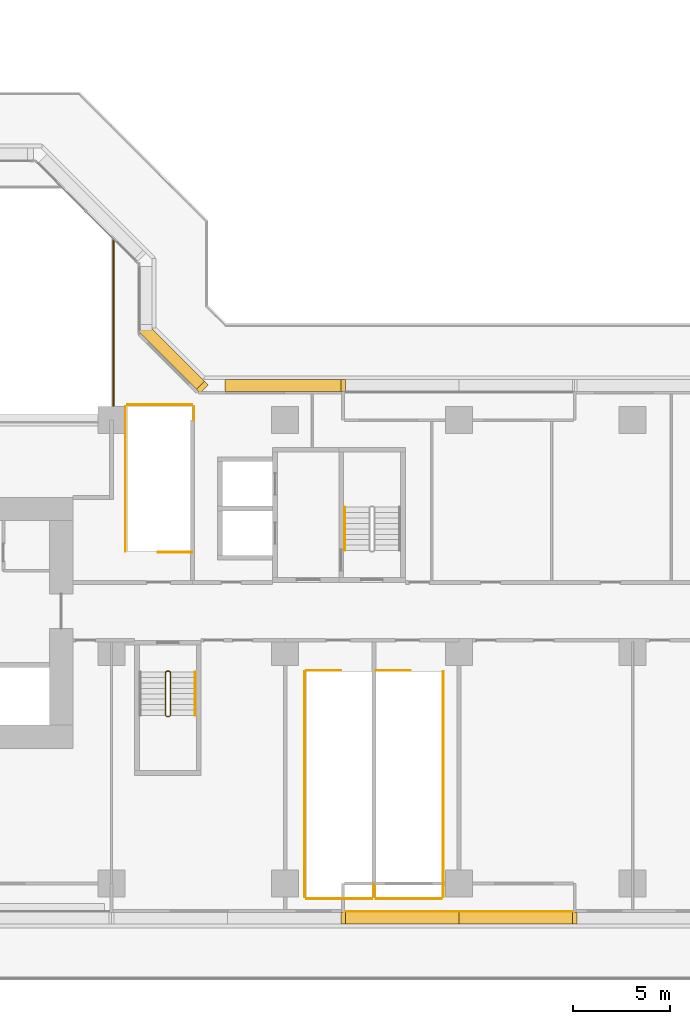
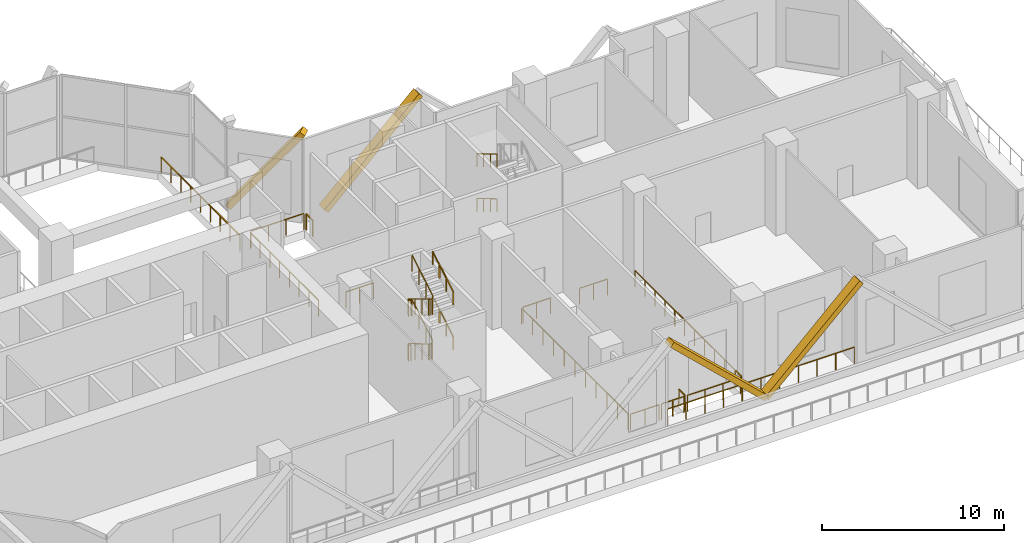
# One storey, part 12 of 16: 21 railings, 4 coverings.
"""IFC4 building model written with IfcOpenShell, lengths in metres."""

from ifc_helpers import new_model, si_unit, direction, frame, origin, origin_2d, place, context, subcontext, project, spatial, rectangle, extrude, material, material_profile, profile_set, type_object, element, save


model = new_model("IFC4")

# Units and contexts
model_context = context("Model", 3, precision=1e-05, world=origin(), true_north=direction((0.0, 1.0)))
body_context = subcontext(model_context, "Body", "Model", "MODEL_VIEW")
ifc_project = project(units=[si_unit("LENGTHUNIT", "METRE"), si_unit("AREAUNIT", "SQUARE_METRE"), si_unit("VOLUMEUNIT", "CUBIC_METRE"), si_unit("PLANEANGLEUNIT", "RADIAN"), si_unit("MASSUNIT", "GRAM", prefix="KILO")], contexts=[model_context])

# Site, building, storey
site_placement = place(None, origin())
site = spatial("IfcSite", under=ifc_project, at=site_placement, CompositionType="ELEMENT")
building_placement = place(site_placement, origin())
building = spatial("IfcBuilding", under=site, at=building_placement, Name="Chenar Terraces", CompositionType="ELEMENT")
storey_placement = place(building_placement, frame((0.0, 0.0, 35.39990234375)))
storey = spatial("IfcBuildingStorey", under=building, at=storey_placement, Name="L06", CompositionType="ELEMENT", Elevation=35.39990234375)

# Railings
ifc_material_1 = material(Name="Powder-coated steel", Category="steel")
railing_type_1 = type_object("IfcRailingType", Name="Guard 1100 steel rail with glass infill", PredefinedType="GUARDRAIL", material=ifc_material_1)
railing_1_placement = place(storey_placement, frame((36.10009765625, 24.75, 0.0)))
element("IfcRailing", 1, at=railing_1_placement, inside=storey, type_object=railing_type_1, Name="Guard L06-3", PredefinedType="GUARDRAIL", context=body_context, shape_type="SweptSolid", body=[
    extrude(rectangle(XDim=0.06005859375, YDim=0.06005859375, at=origin_2d()), frame((0.0, 0.0, 1.070068359375), z_axis=(0.0, 1.0, 0.0), x_axis=(-1.0, 0.0, 0.0)), (0.0, 0.0, 1.0), 8.64990234375),
    extrude(rectangle(XDim=0.050048828125, YDim=0.050048828125, at=origin_2d()), origin(), (0.0, 0.0, 1.0), 1.0400390625),
    extrude(rectangle(XDim=0.050048828125, YDim=0.050048828125, at=origin_2d()), frame((0.0, 1.081298828125, 0.0)), (0.0, 0.0, 1.0), 1.0400390625),
    extrude(rectangle(XDim=0.050048828125, YDim=0.050048828125, at=origin_2d()), frame((0.0, 2.16259765625, 0.0)), (0.0, 0.0, 1.0), 1.0400390625),
    extrude(rectangle(XDim=0.050048828125, YDim=0.050048828125, at=origin_2d()), frame((0.0, 3.24365234375, 0.0)), (0.0, 0.0, 1.0), 1.0400390625),
    extrude(rectangle(XDim=0.050048828125, YDim=0.050048828125, at=origin_2d()), frame((0.0, 4.324951171875, 0.0)), (0.0, 0.0, 1.0), 1.0400390625),
    extrude(rectangle(XDim=0.050048828125, YDim=0.050048828125, at=origin_2d()), frame((0.0, 5.40625, 0.0)), (0.0, 0.0, 1.0), 1.0400390625),
    extrude(rectangle(XDim=0.050048828125, YDim=0.050048828125, at=origin_2d()), frame((0.0, 6.4873046875, 0.0)), (0.0, 0.0, 1.0), 1.0400390625),
    extrude(rectangle(XDim=0.050048828125, YDim=0.050048828125, at=origin_2d()), frame((0.0, 7.568603515625, 0.0)), (0.0, 0.0, 1.0), 1.0400390625),
    extrude(rectangle(XDim=0.050048828125, YDim=0.050048828125, at=origin_2d()), frame((0.0, 8.64990234375, 0.0)), (0.0, 0.0, 1.0), 1.0400390625),
])
ifc_material_2 = material(Name="Stainless steel and glass", Category="steel")
railing_type_2 = type_object("IfcRailingType", Name="Loggia guard 1150", PredefinedType="GUARDRAIL", material=ifc_material_2)
railing_2_placement = place(storey_placement, frame((48.074951171875, -1.449951171875, 0.0)))
element("IfcRailing", 2, at=railing_2_placement, inside=storey, type_object=railing_type_2, Name="Loggia guard", PredefinedType="GUARDRAIL", context=body_context, shape_type="SweptSolid", body=[
    extrude(rectangle(XDim=0.048095703125, YDim=0.048095703125, at=origin_2d()), frame((0.0, 0.0, 1.1259765625), z_axis=(1.0, 0.0, 0.0), x_axis=(0.0, 1.0, 0.0)), (0.0, 0.0, 1.0), 11.85009765625),
    extrude(rectangle(XDim=0.0419921875, YDim=0.0419921875, at=origin_2d()), origin(), (0.0, 0.0, 1.0), 1.101806640625),
    extrude(rectangle(XDim=0.0419921875, YDim=0.0419921875, at=origin_2d()), frame((1.18505859375, 0.0, 0.0)), (0.0, 0.0, 1.0), 1.101806640625),
    extrude(rectangle(XDim=0.0419921875, YDim=0.0419921875, at=origin_2d()), frame((2.3701171875, 0.0, 0.0)), (0.0, 0.0, 1.0), 1.101806640625),
    extrude(rectangle(XDim=0.0419921875, YDim=0.0419921875, at=origin_2d()), frame((3.554931640625, 0.0, 0.0)), (0.0, 0.0, 1.0), 1.101806640625),
    extrude(rectangle(XDim=0.0419921875, YDim=0.0419921875, at=origin_2d()), frame((4.739990234375, 0.0, 0.0)), (0.0, 0.0, 1.0), 1.101806640625),
    extrude(rectangle(XDim=0.0419921875, YDim=0.0419921875, at=origin_2d()), frame((5.925048828125, 0.0, 0.0)), (0.0, 0.0, 1.0), 1.101806640625),
    extrude(rectangle(XDim=0.0419921875, YDim=0.0419921875, at=origin_2d()), frame((7.110107421875, 0.0, 0.0)), (0.0, 0.0, 1.0), 1.101806640625),
    extrude(rectangle(XDim=0.0419921875, YDim=0.0419921875, at=origin_2d()), frame((8.295166015625, 0.0, 0.0)), (0.0, 0.0, 1.0), 1.101806640625),
    extrude(rectangle(XDim=0.0419921875, YDim=0.0419921875, at=origin_2d()), frame((9.47998046875, 0.0, 0.0)), (0.0, 0.0, 1.0), 1.101806640625),
    extrude(rectangle(XDim=0.0419921875, YDim=0.0419921875, at=origin_2d()), frame((10.6650390625, 0.0, 0.0)), (0.0, 0.0, 1.0), 1.101806640625),
    extrude(rectangle(XDim=0.0419921875, YDim=0.0419921875, at=origin_2d()), frame((11.85009765625, 0.0, 0.0)), (0.0, 0.0, 1.0), 1.101806640625),
])
ifc_material_3 = material(Name="Powder-coated steel", Category="steel")
railing_type_3 = type_object("IfcRailingType", Name="Stair guard 1100", PredefinedType="GUARDRAIL", material=ifc_material_3)
railing_3_placement = place(storey_placement, frame((39.050048828125, 10.949951171875, 6.0)))
element("IfcRailing", 3, at=railing_3_placement, inside=storey, type_object=railing_type_3, Name="L06 ST2 stair guard 1", PredefinedType="GUARDRAIL", context=body_context, shape_type="SweptSolid", body=[
    extrude(rectangle(XDim=0.048095703125, YDim=0.048095703125, at=origin_2d()), frame((0.0, 0.0, 1.076171875), z_axis=(0.0, -0.859305625298, -0.511462454469), x_axis=(1.0, 0.0, 0.0)), (0.0, 0.0, 1.0), 2.606689453125),
    extrude(rectangle(XDim=0.048095703125, YDim=0.048095703125, at=origin_2d()), frame((0.0, -2.239990234375, -0.25732421875), z_axis=(-0.27628659633, -0.27628659633, -0.920506074601), x_axis=(0.707106781187, -0.707106781187, 0.0)), (0.0, 0.0, 1.0), 0.18115234375),
    extrude(rectangle(XDim=0.048095703125, YDim=0.048095703125, at=origin_2d()), frame((-0.050048828125, -2.2900390625, -0.423828125), z_axis=(-1.0, 0.0, 0.0), x_axis=(0.0, -1.0, 0.0)), (0.0, 0.0, 1.0), 0.14990234375),
    extrude(rectangle(XDim=0.048095703125, YDim=0.048095703125, at=origin_2d()), frame((-0.199951171875, -2.2900390625, -0.423828125), z_axis=(-0.707106781187, 0.707106781187, 0.0), x_axis=(-0.707106781187, -0.707106781187, 0.0)), (0.0, 0.0, 1.0), 0.07080078125),
    extrude(rectangle(XDim=0.048095703125, YDim=0.048095703125, at=origin_2d()), frame((-0.25, -2.239990234375, -0.423828125), z_axis=(0.0, 0.859305625298, -0.511462454469), x_axis=(-1.0, 0.0, 0.0)), (0.0, 0.0, 1.0), 2.606689453125),
    extrude(rectangle(XDim=0.048095703125, YDim=0.048095703125, at=origin_2d()), frame((-0.25, 0.0, -1.75732421875), z_axis=(0.754182335027, 0.188775798145, -0.628945707965), x_axis=(-0.242814311512, 0.970072785993, 0.0)), (0.0, 0.0, 1.0), 0.26513671875),
    extrude(rectangle(XDim=0.048095703125, YDim=0.048095703125, at=origin_2d()), frame((-0.050048828125, 0.050048828125, -1.923828125), z_axis=(-1.0, 0.0, 0.0), x_axis=(0.0, -1.0, 0.0)), (0.0, 0.0, 1.0), 0.14990234375),
    extrude(rectangle(XDim=0.048095703125, YDim=0.048095703125, at=origin_2d()), frame((-0.199951171875, 0.050048828125, -1.923828125), z_axis=(0.970072785993, -0.242814311512, 0.0), x_axis=(0.242814311512, 0.970072785993, 0.0)), (0.0, 0.0, 1.0), 0.2060546875),
    extrude(rectangle(XDim=0.048095703125, YDim=0.048095703125, at=origin_2d()), frame((0.0, 0.0, -1.923828125), z_axis=(0.0, -0.859305625298, -0.511462454469), x_axis=(1.0, 0.0, 0.0)), (0.0, 0.0, 1.0), 2.606689453125),
    extrude(rectangle(XDim=0.048095703125, YDim=0.048095703125, at=origin_2d()), frame((0.0, -2.239990234375, -3.25732421875), z_axis=(-0.27628659633, -0.27628659633, -0.920506074601), x_axis=(0.707106781187, -0.707106781187, 0.0)), (0.0, 0.0, 1.0), 0.18115234375),
    extrude(rectangle(XDim=0.048095703125, YDim=0.048095703125, at=origin_2d()), frame((-0.050048828125, -2.2900390625, -3.423828125), z_axis=(-1.0, 0.0, 0.0), x_axis=(0.0, -1.0, 0.0)), (0.0, 0.0, 1.0), 0.14990234375),
    extrude(rectangle(XDim=0.048095703125, YDim=0.048095703125, at=origin_2d()), frame((-0.199951171875, -2.2900390625, -3.423828125), z_axis=(-0.707106781187, 0.707106781187, 0.0), x_axis=(-0.707106781187, -0.707106781187, 0.0)), (0.0, 0.0, 1.0), 0.07080078125),
    extrude(rectangle(XDim=0.048095703125, YDim=0.048095703125, at=origin_2d()), frame((-0.25, -2.239990234375, -3.423828125), z_axis=(0.0, 0.859305625298, -0.511462454469), x_axis=(-1.0, 0.0, 0.0)), (0.0, 0.0, 1.0), 2.606689453125),
    extrude(rectangle(XDim=0.048095703125, YDim=0.048095703125, at=origin_2d()), frame((-0.25, 0.0, -4.75732421875), z_axis=(0.27628659633, 0.27628659633, -0.920506074601), x_axis=(-0.707106781187, 0.707106781187, 0.0)), (0.0, 0.0, 1.0), 0.18115234375),
    extrude(rectangle(XDim=0.048095703125, YDim=0.048095703125, at=origin_2d()), frame((-0.199951171875, 0.050048828125, -4.923828125), z_axis=(1.0, 0.0, 0.0), x_axis=(0.0, 1.0, 0.0)), (0.0, 0.0, 1.0), 0.14990234375),
    extrude(rectangle(XDim=0.0419921875, YDim=0.0419921875, at=origin_2d()), origin(), (0.0, 0.0, 1.0), 1.052001953125),
    extrude(rectangle(XDim=0.0419921875, YDim=0.0419921875, at=origin_2d()), frame((0.0, -0.74658203125, -0.4443359375)), (0.0, 0.0, 1.0), 1.052001953125),
    extrude(rectangle(XDim=0.0419921875, YDim=0.0419921875, at=origin_2d()), frame((0.0, -1.493408203125, -0.888916015625)), (0.0, 0.0, 1.0), 1.052001953125),
    extrude(rectangle(XDim=0.0419921875, YDim=0.0419921875, at=origin_2d()), frame((0.0, -2.239990234375, -1.333251953125)), (0.0, 0.0, 1.0), 1.052001953125),
    extrude(rectangle(XDim=0.0419921875, YDim=0.0419921875, at=origin_2d()), frame((-0.050048828125, -2.2900390625, -1.5)), (0.0, 0.0, 1.0), 1.052001953125),
    extrude(rectangle(XDim=0.0419921875, YDim=0.0419921875, at=origin_2d()), frame((-0.199951171875, -2.2900390625, -1.5)), (0.0, 0.0, 1.0), 1.052001953125),
    extrude(rectangle(XDim=0.0419921875, YDim=0.0419921875, at=origin_2d()), frame((-0.25, -2.239990234375, -1.5)), (0.0, 0.0, 1.0), 1.052001953125),
    extrude(rectangle(XDim=0.0419921875, YDim=0.0419921875, at=origin_2d()), frame((-0.25, -1.493408203125, -1.9443359375)), (0.0, 0.0, 1.0), 1.052001953125),
    extrude(rectangle(XDim=0.0419921875, YDim=0.0419921875, at=origin_2d()), frame((-0.25, -0.74658203125, -2.388916015625)), (0.0, 0.0, 1.0), 1.052001953125),
    extrude(rectangle(XDim=0.0419921875, YDim=0.0419921875, at=origin_2d()), frame((-0.25, 0.0, -2.833251953125)), (0.0, 0.0, 1.0), 1.052001953125),
    extrude(rectangle(XDim=0.0419921875, YDim=0.0419921875, at=origin_2d()), frame((-0.050048828125, 0.050048828125, -3.0)), (0.0, 0.0, 1.0), 1.052001953125),
    extrude(rectangle(XDim=0.0419921875, YDim=0.0419921875, at=origin_2d()), frame((-0.199951171875, 0.050048828125, -3.0)), (0.0, 0.0, 1.0), 1.052001953125),
    extrude(rectangle(XDim=0.0419921875, YDim=0.0419921875, at=origin_2d()), frame((0.0, 0.0, -3.0)), (0.0, 0.0, 1.0), 1.052001953125),
    extrude(rectangle(XDim=0.0419921875, YDim=0.0419921875, at=origin_2d()), frame((0.0, -0.74658203125, -3.4443359375)), (0.0, 0.0, 1.0), 1.052001953125),
    extrude(rectangle(XDim=0.0419921875, YDim=0.0419921875, at=origin_2d()), frame((0.0, -1.493408203125, -3.888916015625)), (0.0, 0.0, 1.0), 1.052001953125),
    extrude(rectangle(XDim=0.0419921875, YDim=0.0419921875, at=origin_2d()), frame((0.0, -2.239990234375, -4.333251953125)), (0.0, 0.0, 1.0), 1.052001953125),
    extrude(rectangle(XDim=0.0419921875, YDim=0.0419921875, at=origin_2d()), frame((-0.050048828125, -2.2900390625, -4.5)), (0.0, 0.0, 1.0), 1.052001953125),
    extrude(rectangle(XDim=0.0419921875, YDim=0.0419921875, at=origin_2d()), frame((-0.199951171875, -2.2900390625, -4.5)), (0.0, 0.0, 1.0), 1.052001953125),
    extrude(rectangle(XDim=0.0419921875, YDim=0.0419921875, at=origin_2d()), frame((-0.25, -2.239990234375, -4.5)), (0.0, 0.0, 1.0), 1.052001953125),
    extrude(rectangle(XDim=0.0419921875, YDim=0.0419921875, at=origin_2d()), frame((-0.25, -1.493408203125, -4.9443359375)), (0.0, 0.0, 1.0), 1.052001953125),
    extrude(rectangle(XDim=0.0419921875, YDim=0.0419921875, at=origin_2d()), frame((-0.25, -0.74658203125, -5.388916015625)), (0.0, 0.0, 1.0), 1.052001953125),
    extrude(rectangle(XDim=0.0419921875, YDim=0.0419921875, at=origin_2d()), frame((-0.25, 0.0, -5.833251953125)), (0.0, 0.0, 1.0), 1.052001953125),
    extrude(rectangle(XDim=0.0419921875, YDim=0.0419921875, at=origin_2d()), frame((-0.199951171875, 0.050048828125, -6.0)), (0.0, 0.0, 1.0), 1.052001953125),
    extrude(rectangle(XDim=0.0419921875, YDim=0.0419921875, at=origin_2d()), frame((-0.050048828125, 0.050048828125, -6.0)), (0.0, 0.0, 1.0), 1.052001953125),
])
railing_4_placement = place(storey_placement, frame((38.425048828125, 17.14990234375, 0.0)))
element("IfcRailing", 4, at=railing_4_placement, inside=storey, type_object=railing_type_3, Name="L06 PS1 top well guard 1", PredefinedType="GUARDRAIL", context=body_context, shape_type="SweptSolid", body=[
    extrude(rectangle(XDim=0.048095703125, YDim=0.048095703125, at=origin_2d()), frame((0.0, 0.0, 1.076171875), z_axis=(1.0, 0.0, 0.0), x_axis=(0.0, 1.0, 0.0)), (0.0, 0.0, 1.0), 1.75),
    extrude(rectangle(XDim=0.0419921875, YDim=0.0419921875, at=origin_2d()), origin(), (0.0, 0.0, 1.0), 1.052001953125),
    extrude(rectangle(XDim=0.0419921875, YDim=0.0419921875, at=origin_2d()), frame((0.875, 0.0, 0.0)), (0.0, 0.0, 1.0), 1.052001953125),
    extrude(rectangle(XDim=0.0419921875, YDim=0.0419921875, at=origin_2d()), frame((1.75, 0.0, 0.0)), (0.0, 0.0, 1.0), 1.052001953125),
])
railing_5_placement = place(storey_placement, frame((51.47509765625, 11.034912109375, 0.0)))
element("IfcRailing", 5, at=railing_5_placement, inside=storey, type_object=railing_type_3, Name="L06 PS2 top well guard 1", PredefinedType="GUARDRAIL", context=body_context, shape_type="SweptSolid", body=[
    extrude(rectangle(XDim=0.048095703125, YDim=0.048095703125, at=origin_2d()), frame((0.0, 0.0, 1.076171875), z_axis=(-1.0, 0.0, 0.0), x_axis=(0.0, -1.0, 0.0)), (0.0, 0.0, 1.0), 1.76513671875),
    extrude(rectangle(XDim=0.0419921875, YDim=0.0419921875, at=origin_2d()), origin(), (0.0, 0.0, 1.0), 1.052001953125),
    extrude(rectangle(XDim=0.0419921875, YDim=0.0419921875, at=origin_2d()), frame((-0.882568359375, 0.0, 0.0)), (0.0, 0.0, 1.0), 1.052001953125),
    extrude(rectangle(XDim=0.0419921875, YDim=0.0419921875, at=origin_2d()), frame((-1.76513671875, 0.0, 0.0)), (0.0, 0.0, 1.0), 1.052001953125),
])
railing_6_placement = place(storey_placement, frame((47.875, 11.034912109375, 0.0)))
element("IfcRailing", 6, at=railing_6_placement, inside=storey, type_object=railing_type_3, Name="L06 PS6 top well guard 1", PredefinedType="GUARDRAIL", context=body_context, shape_type="SweptSolid", body=[
    extrude(rectangle(XDim=0.048095703125, YDim=0.048095703125, at=origin_2d()), frame((0.0, 0.0, 1.076171875), z_axis=(-1.0, 0.0, 0.0), x_axis=(0.0, -1.0, 0.0)), (0.0, 0.0, 1.0), 1.764892578125),
    extrude(rectangle(XDim=0.0419921875, YDim=0.0419921875, at=origin_2d()), origin(), (0.0, 0.0, 1.0), 1.052001953125),
    extrude(rectangle(XDim=0.0419921875, YDim=0.0419921875, at=origin_2d()), frame((-0.88232421875, 0.0, 0.0)), (0.0, 0.0, 1.0), 1.052001953125),
    extrude(rectangle(XDim=0.0419921875, YDim=0.0419921875, at=origin_2d()), frame((-1.764892578125, 0.0, 0.0)), (0.0, 0.0, 1.0), 1.052001953125),
])
railing_7_placement = place(storey_placement, frame((40.27490234375, 24.0, 0.0)))
element("IfcRailing", 7, at=railing_7_placement, inside=storey, type_object=railing_type_3, Name="L06 PS1 stair guard 101", PredefinedType="GUARDRAIL", context=body_context, shape_type="SweptSolid", body=[
    extrude(rectangle(XDim=0.048095703125, YDim=0.048095703125, at=origin_2d()), frame((0.0, 0.0, 1.076171875), z_axis=(0.0, 1.0, 0.0), x_axis=(-1.0, 0.0, 0.0)), (0.0, 0.0, 1.0), 0.699951171875),
    extrude(rectangle(XDim=0.0419921875, YDim=0.0419921875, at=origin_2d()), origin(), (0.0, 0.0, 1.0), 1.052001953125),
    extrude(rectangle(XDim=0.0419921875, YDim=0.0419921875, at=origin_2d()), frame((0.0, 0.699951171875, 0.0)), (0.0, 0.0, 1.0), 1.052001953125),
])
railing_8_placement = place(storey_placement, frame((40.175048828125, 24.800048828125, 0.0)))
element("IfcRailing", 8, at=railing_8_placement, inside=storey, type_object=railing_type_3, Name="L06 PS1 stair guard 102", PredefinedType="GUARDRAIL", context=body_context, shape_type="SweptSolid", body=[
    extrude(rectangle(XDim=0.048095703125, YDim=0.048095703125, at=origin_2d()), frame((0.0, 0.0, 1.076171875), z_axis=(-1.0, 0.0, 0.0), x_axis=(0.0, -1.0, 0.0)), (0.0, 0.0, 1.0), 3.35009765625),
    extrude(rectangle(XDim=0.0419921875, YDim=0.0419921875, at=origin_2d()), origin(), (0.0, 0.0, 1.0), 1.052001953125),
    extrude(rectangle(XDim=0.0419921875, YDim=0.0419921875, at=origin_2d()), frame((-1.11669921875, 0.0, 0.0)), (0.0, 0.0, 1.0), 1.052001953125),
    extrude(rectangle(XDim=0.0419921875, YDim=0.0419921875, at=origin_2d()), frame((-2.2333984375, 0.0, 0.0)), (0.0, 0.0, 1.0), 1.052001953125),
    extrude(rectangle(XDim=0.0419921875, YDim=0.0419921875, at=origin_2d()), frame((-3.35009765625, 0.0, 0.0)), (0.0, 0.0, 1.0), 1.052001953125),
])
railing_9_placement = place(storey_placement, frame((36.72509765625, 24.699951171875, 0.0)))
element("IfcRailing", 9, at=railing_9_placement, inside=storey, type_object=railing_type_3, Name="L06 PS1 stair guard 103", PredefinedType="GUARDRAIL", context=body_context, shape_type="SweptSolid", body=[
    extrude(rectangle(XDim=0.048095703125, YDim=0.048095703125, at=origin_2d()), frame((0.0, 0.0, 1.076171875), z_axis=(0.0, -1.0, 0.0), x_axis=(1.0, 0.0, 0.0)), (0.0, 0.0, 1.0), 7.5),
    extrude(rectangle(XDim=0.0419921875, YDim=0.0419921875, at=origin_2d()), origin(), (0.0, 0.0, 1.0), 1.052001953125),
    extrude(rectangle(XDim=0.0419921875, YDim=0.0419921875, at=origin_2d()), frame((0.0, -1.071533203125, 0.0)), (0.0, 0.0, 1.0), 1.052001953125),
    extrude(rectangle(XDim=0.0419921875, YDim=0.0419921875, at=origin_2d()), frame((0.0, -2.142822265625, 0.0)), (0.0, 0.0, 1.0), 1.052001953125),
    extrude(rectangle(XDim=0.0419921875, YDim=0.0419921875, at=origin_2d()), frame((0.0, -3.21435546875, 0.0)), (0.0, 0.0, 1.0), 1.052001953125),
    extrude(rectangle(XDim=0.0419921875, YDim=0.0419921875, at=origin_2d()), frame((0.0, -4.28564453125, 0.0)), (0.0, 0.0, 1.0), 1.052001953125),
    extrude(rectangle(XDim=0.0419921875, YDim=0.0419921875, at=origin_2d()), frame((0.0, -5.357177734375, 0.0)), (0.0, 0.0, 1.0), 1.052001953125),
    extrude(rectangle(XDim=0.0419921875, YDim=0.0419921875, at=origin_2d()), frame((0.0, -6.428466796875, 0.0)), (0.0, 0.0, 1.0), 1.052001953125),
    extrude(rectangle(XDim=0.0419921875, YDim=0.0419921875, at=origin_2d()), frame((0.0, -7.5, 0.0)), (0.0, 0.0, 1.0), 1.052001953125),
])
railing_10_placement = place(storey_placement, frame((49.610107421875, -0.048095703125, 0.0)))
element("IfcRailing", 10, at=railing_10_placement, inside=storey, type_object=railing_type_3, Name="L06 PS2 stair guard 101", PredefinedType="GUARDRAIL", context=body_context, shape_type="SweptSolid", body=[
    extrude(rectangle(XDim=0.048095703125, YDim=0.048095703125, at=origin_2d()), frame((0.0, 0.0, 1.076171875), z_axis=(0.0, -1.0, 0.0), x_axis=(1.0, 0.0, 0.0)), (0.0, 0.0, 1.0), 0.65185546875),
    extrude(rectangle(XDim=0.0419921875, YDim=0.0419921875, at=origin_2d()), origin(), (0.0, 0.0, 1.0), 1.052001953125),
    extrude(rectangle(XDim=0.0419921875, YDim=0.0419921875, at=origin_2d()), frame((0.0, -0.65185546875, 0.0)), (0.0, 0.0, 1.0), 1.052001953125),
])
railing_11_placement = place(storey_placement, frame((49.7099609375, -0.800048828125, 0.0)))
element("IfcRailing", 11, at=railing_11_placement, inside=storey, type_object=railing_type_3, Name="L06 PS2 stair guard 102", PredefinedType="GUARDRAIL", context=body_context, shape_type="SweptSolid", body=[
    extrude(rectangle(XDim=0.048095703125, YDim=0.048095703125, at=origin_2d()), frame((0.0, 0.0, 1.076171875), z_axis=(1.0, 0.0, 0.0), x_axis=(0.0, 1.0, 0.0)), (0.0, 0.0, 1.0), 3.380126953125),
    extrude(rectangle(XDim=0.0419921875, YDim=0.0419921875, at=origin_2d()), origin(), (0.0, 0.0, 1.0), 1.052001953125),
    extrude(rectangle(XDim=0.0419921875, YDim=0.0419921875, at=origin_2d()), frame((1.126708984375, 0.0, 0.0)), (0.0, 0.0, 1.0), 1.052001953125),
    extrude(rectangle(XDim=0.0419921875, YDim=0.0419921875, at=origin_2d()), frame((2.25341796875, 0.0, 0.0)), (0.0, 0.0, 1.0), 1.052001953125),
    extrude(rectangle(XDim=0.0419921875, YDim=0.0419921875, at=origin_2d()), frame((3.380126953125, 0.0, 0.0)), (0.0, 0.0, 1.0), 1.052001953125),
])
railing_12_placement = place(storey_placement, frame((53.18994140625, -0.699951171875, 0.0)))
element("IfcRailing", 12, at=railing_12_placement, inside=storey, type_object=railing_type_3, Name="L06 PS2 stair guard 103", PredefinedType="GUARDRAIL", context=body_context, shape_type="SweptSolid", body=[
    extrude(rectangle(XDim=0.048095703125, YDim=0.048095703125, at=origin_2d()), frame((0.0, 0.0, 1.076171875), z_axis=(0.0, 1.0, 0.0), x_axis=(-1.0, 0.0, 0.0)), (0.0, 0.0, 1.0), 0.65185546875),
    extrude(rectangle(XDim=0.0419921875, YDim=0.0419921875, at=origin_2d()), origin(), (0.0, 0.0, 1.0), 1.052001953125),
    extrude(rectangle(XDim=0.0419921875, YDim=0.0419921875, at=origin_2d()), frame((0.0, 0.65185546875, 0.0)), (0.0, 0.0, 1.0), 1.052001953125),
])
railing_13_placement = place(storey_placement, frame((53.18994140625, 0.052490234375, 0.0)))
element("IfcRailing", 13, at=railing_13_placement, inside=storey, type_object=railing_type_3, Name="L06 PS2 stair guard 104", PredefinedType="GUARDRAIL", context=body_context, shape_type="SweptSolid", body=[
    extrude(rectangle(XDim=0.048095703125, YDim=0.048095703125, at=origin_2d()), frame((0.0, 0.0, 1.076171875), z_axis=(0.0, 1.0, 0.0), x_axis=(-1.0, 0.0, 0.0)), (0.0, 0.0, 1.0), 10.9326171875),
    extrude(rectangle(XDim=0.0419921875, YDim=0.0419921875, at=origin_2d()), origin(), (0.0, 0.0, 1.0), 1.052001953125),
    extrude(rectangle(XDim=0.0419921875, YDim=0.0419921875, at=origin_2d()), frame((0.0, 1.09326171875, 0.0)), (0.0, 0.0, 1.0), 1.052001953125),
    extrude(rectangle(XDim=0.0419921875, YDim=0.0419921875, at=origin_2d()), frame((0.0, 2.1865234375, 0.0)), (0.0, 0.0, 1.0), 1.052001953125),
    extrude(rectangle(XDim=0.0419921875, YDim=0.0419921875, at=origin_2d()), frame((0.0, 3.27978515625, 0.0)), (0.0, 0.0, 1.0), 1.052001953125),
    extrude(rectangle(XDim=0.0419921875, YDim=0.0419921875, at=origin_2d()), frame((0.0, 4.373046875, 0.0)), (0.0, 0.0, 1.0), 1.052001953125),
    extrude(rectangle(XDim=0.0419921875, YDim=0.0419921875, at=origin_2d()), frame((0.0, 5.46630859375, 0.0)), (0.0, 0.0, 1.0), 1.052001953125),
    extrude(rectangle(XDim=0.0419921875, YDim=0.0419921875, at=origin_2d()), frame((0.0, 6.5595703125, 0.0)), (0.0, 0.0, 1.0), 1.052001953125),
    extrude(rectangle(XDim=0.0419921875, YDim=0.0419921875, at=origin_2d()), frame((0.0, 7.65283203125, 0.0)), (0.0, 0.0, 1.0), 1.052001953125),
    extrude(rectangle(XDim=0.0419921875, YDim=0.0419921875, at=origin_2d()), frame((0.0, 8.74609375, 0.0)), (0.0, 0.0, 1.0), 1.052001953125),
    extrude(rectangle(XDim=0.0419921875, YDim=0.0419921875, at=origin_2d()), frame((0.0, 9.83935546875, 0.0)), (0.0, 0.0, 1.0), 1.052001953125),
    extrude(rectangle(XDim=0.0419921875, YDim=0.0419921875, at=origin_2d()), frame((0.0, 10.9326171875, 0.0)), (0.0, 0.0, 1.0), 1.052001953125),
])
railing_14_placement = place(storey_placement, frame((46.010009765625, 10.985107421875, 0.0)))
element("IfcRailing", 14, at=railing_14_placement, inside=storey, type_object=railing_type_3, Name="L06 PS6 stair guard 101", PredefinedType="GUARDRAIL", context=body_context, shape_type="SweptSolid", body=[
    extrude(rectangle(XDim=0.048095703125, YDim=0.048095703125, at=origin_2d()), frame((0.0, 0.0, 1.076171875), z_axis=(0.0, -1.0, 0.0), x_axis=(1.0, 0.0, 0.0)), (0.0, 0.0, 1.0), 11.68505859375),
    extrude(rectangle(XDim=0.0419921875, YDim=0.0419921875, at=origin_2d()), origin(), (0.0, 0.0, 1.0), 1.052001953125),
    extrude(rectangle(XDim=0.0419921875, YDim=0.0419921875, at=origin_2d()), frame((0.0, -1.16845703125, 0.0)), (0.0, 0.0, 1.0), 1.052001953125),
    extrude(rectangle(XDim=0.0419921875, YDim=0.0419921875, at=origin_2d()), frame((0.0, -2.3369140625, 0.0)), (0.0, 0.0, 1.0), 1.052001953125),
    extrude(rectangle(XDim=0.0419921875, YDim=0.0419921875, at=origin_2d()), frame((0.0, -3.505615234375, 0.0)), (0.0, 0.0, 1.0), 1.052001953125),
    extrude(rectangle(XDim=0.0419921875, YDim=0.0419921875, at=origin_2d()), frame((0.0, -4.674072265625, 0.0)), (0.0, 0.0, 1.0), 1.052001953125),
    extrude(rectangle(XDim=0.0419921875, YDim=0.0419921875, at=origin_2d()), frame((0.0, -5.842529296875, 0.0)), (0.0, 0.0, 1.0), 1.052001953125),
    extrude(rectangle(XDim=0.0419921875, YDim=0.0419921875, at=origin_2d()), frame((0.0, -7.010986328125, 0.0)), (0.0, 0.0, 1.0), 1.052001953125),
    extrude(rectangle(XDim=0.0419921875, YDim=0.0419921875, at=origin_2d()), frame((0.0, -8.179443359375, 0.0)), (0.0, 0.0, 1.0), 1.052001953125),
    extrude(rectangle(XDim=0.0419921875, YDim=0.0419921875, at=origin_2d()), frame((0.0, -9.34814453125, 0.0)), (0.0, 0.0, 1.0), 1.052001953125),
    extrude(rectangle(XDim=0.0419921875, YDim=0.0419921875, at=origin_2d()), frame((0.0, -10.5166015625, 0.0)), (0.0, 0.0, 1.0), 1.052001953125),
    extrude(rectangle(XDim=0.0419921875, YDim=0.0419921875, at=origin_2d()), frame((0.0, -11.68505859375, 0.0)), (0.0, 0.0, 1.0), 1.052001953125),
])
railing_15_placement = place(storey_placement, frame((46.110107421875, -0.800048828125, 0.0)))
element("IfcRailing", 15, at=railing_15_placement, inside=storey, type_object=railing_type_3, Name="L06 PS6 stair guard 102", PredefinedType="GUARDRAIL", context=body_context, shape_type="SweptSolid", body=[
    extrude(rectangle(XDim=0.048095703125, YDim=0.048095703125, at=origin_2d()), frame((0.0, 0.0, 1.076171875), z_axis=(1.0, 0.0, 0.0), x_axis=(0.0, 1.0, 0.0)), (0.0, 0.0, 1.0), 1.815673828125),
    extrude(rectangle(XDim=0.0419921875, YDim=0.0419921875, at=origin_2d()), origin(), (0.0, 0.0, 1.0), 1.052001953125),
    extrude(rectangle(XDim=0.0419921875, YDim=0.0419921875, at=origin_2d()), frame((0.90771484375, 0.0, 0.0)), (0.0, 0.0, 1.0), 1.052001953125),
    extrude(rectangle(XDim=0.0419921875, YDim=0.0419921875, at=origin_2d()), frame((1.815673828125, 0.0, 0.0)), (0.0, 0.0, 1.0), 1.052001953125),
])
railing_16_placement = place(storey_placement, frame((48.077880859375, -0.800048828125, 0.0)))
element("IfcRailing", 16, at=railing_16_placement, inside=storey, type_object=railing_type_3, Name="L06 PS6 stair guard 103", PredefinedType="GUARDRAIL", context=body_context, shape_type="SweptSolid", body=[
    extrude(rectangle(XDim=0.048095703125, YDim=0.048095703125, at=origin_2d()), frame((0.0, 0.0, 1.076171875), z_axis=(1.0, 0.0, 0.0), x_axis=(0.0, 1.0, 0.0)), (0.0, 0.0, 1.0), 1.412109375),
    extrude(rectangle(XDim=0.0419921875, YDim=0.0419921875, at=origin_2d()), origin(), (0.0, 0.0, 1.0), 1.052001953125),
    extrude(rectangle(XDim=0.0419921875, YDim=0.0419921875, at=origin_2d()), frame((0.7060546875, 0.0, 0.0)), (0.0, 0.0, 1.0), 1.052001953125),
    extrude(rectangle(XDim=0.0419921875, YDim=0.0419921875, at=origin_2d()), frame((1.412109375, 0.0, 0.0)), (0.0, 0.0, 1.0), 1.052001953125),
])
railing_17_placement = place(storey_placement, frame((49.590087890625, -0.699951171875, 0.0)))
element("IfcRailing", 17, at=railing_17_placement, inside=storey, type_object=railing_type_3, Name="L06 PS6 stair guard 104", PredefinedType="GUARDRAIL", context=body_context, shape_type="SweptSolid", body=[
    extrude(rectangle(XDim=0.048095703125, YDim=0.048095703125, at=origin_2d()), frame((0.0, 0.0, 1.076171875), z_axis=(0.0, 1.0, 0.0), x_axis=(-1.0, 0.0, 0.0)), (0.0, 0.0, 1.0), 0.65185546875),
    extrude(rectangle(XDim=0.0419921875, YDim=0.0419921875, at=origin_2d()), origin(), (0.0, 0.0, 1.0), 1.052001953125),
    extrude(rectangle(XDim=0.0419921875, YDim=0.0419921875, at=origin_2d()), frame((0.0, 0.65185546875, 0.0)), (0.0, 0.0, 1.0), 1.052001953125),
])
ifc_material_4 = material(Name="Powder-coated steel", Category="steel")
railing_type_4 = type_object("IfcRailingType", Name="Stair handrail 900", PredefinedType="HANDRAIL", material=ifc_material_4)
for number, where, name in (
    (18, (40.35009765625, 8.7099609375, 1.666748046875), "L06 ST2 stair handrail 2"),
    (19, (40.35009765625, 8.7099609375, 4.666748046875), "L06 ST2 stair handrail 4"),
):
    element("IfcRailing", number, at=place(storey_placement, frame(where)), inside=storey, type_object=railing_type_4, Name=name, PredefinedType="HANDRAIL", context=body_context, shape_type="SweptSolid", body=[
        extrude(rectangle(XDim=0.048095703125, YDim=0.048095703125, at=origin_2d()), frame((0.0, 0.0, 0.8759765625), z_axis=(0.0, 0.859305625298, 0.511462454469), x_axis=(-1.0, 0.0, 0.0)), (0.0, 0.0, 1.0), 2.606689453125),
        extrude(rectangle(XDim=0.0419921875, YDim=0.0419921875, at=origin_2d()), origin(), (0.0, 0.0, 1.0), 0.851806640625),
        extrude(rectangle(XDim=0.0419921875, YDim=0.0419921875, at=origin_2d()), frame((0.0, 0.74658203125, 0.4443359375)), (0.0, 0.0, 1.0), 0.851806640625),
        extrude(rectangle(XDim=0.0419921875, YDim=0.0419921875, at=origin_2d()), frame((0.0, 1.493408203125, 0.888916015625)), (0.0, 0.0, 1.0), 0.851806640625),
        extrude(rectangle(XDim=0.0419921875, YDim=0.0419921875, at=origin_2d()), frame((0.0, 2.239990234375, 1.333251953125)), (0.0, 0.0, 1.0), 0.851806640625),
    ])
for number, where, name in (
    (20, (48.074951171875, 19.489990234375, 1.666748046875), "L06 ST3 stair handrail 2"),
    (21, (48.074951171875, 19.489990234375, 4.666748046875), "L06 ST3 stair handrail 4"),
):
    element("IfcRailing", number, at=place(storey_placement, frame(where)), inside=storey, type_object=railing_type_4, Name=name, PredefinedType="HANDRAIL", context=body_context, shape_type="SweptSolid", body=[
        extrude(rectangle(XDim=0.048095703125, YDim=0.048095703125, at=origin_2d()), frame((0.0, 0.0, 0.8759765625), z_axis=(0.0, -0.859305625298, 0.511462454469), x_axis=(1.0, 0.0, 0.0)), (0.0, 0.0, 1.0), 2.606689453125),
        extrude(rectangle(XDim=0.0419921875, YDim=0.0419921875, at=origin_2d()), origin(), (0.0, 0.0, 1.0), 0.851806640625),
        extrude(rectangle(XDim=0.0419921875, YDim=0.0419921875, at=origin_2d()), frame((0.0, -0.74658203125, 0.4443359375)), (0.0, 0.0, 1.0), 0.851806640625),
        extrude(rectangle(XDim=0.0419921875, YDim=0.0419921875, at=origin_2d()), frame((0.0, -1.493408203125, 0.888916015625)), (0.0, 0.0, 1.0), 0.851806640625),
        extrude(rectangle(XDim=0.0419921875, YDim=0.0419921875, at=origin_2d()), frame((0.0, -2.239990234375, 1.333251953125)), (0.0, 0.0, 1.0), 0.851806640625),
    ])

# Coverings
ifc_material_5 = material(Name="Terracotta", Category="masonry")
ifc_material_profile = material_profile(ifc_material_5, rectangle(XDim=0.60009765625, YDim=0.35009765625, at=origin_2d()), Name="Terracotta baguette 600 x 350")
ifc_profile_set = profile_set([ifc_material_profile], Name="Terracotta")
covering_type = type_object("IfcCoveringType", Name="Terracotta baguette 600 x 350", PredefinedType="CLADDING", material=ifc_profile_set)
covering_1_placement = place(storey_placement, frame((48.0, 25.800048828125, 5.85009765625), z_axis=(-0.725002379753, 0.0, -0.688746360681), x_axis=(0.0, -1.0, 0.0)))
element("IfcCovering", 22, at=covering_1_placement, inside=storey, type_object=covering_type, Name="Terracotta baguette", PredefinedType="CLADDING", context=body_context, shape_type="SweptSolid", body=[
    extrude(rectangle(XDim=0.60009765625, YDim=0.35009765625, at=origin_2d()), origin(), (0.0, 0.0, 1.0), 8.27587890625),
])
covering_2_placement = place(storey_placement, frame((40.712158203125, 25.712158203125, 5.85009765625), z_axis=(-0.422202658261, 0.422202658261, -0.802178178907), x_axis=(-0.707106781187, -0.707106781187, 0.0)))
element("IfcCovering", 23, at=covering_2_placement, inside=storey, type_object=covering_type, Name="Terracotta baguette", PredefinedType="CLADDING", context=body_context, shape_type="SweptSolid", body=[
    extrude(rectangle(XDim=0.60009765625, YDim=0.35009765625, at=origin_2d()), origin(), (0.0, 0.0, 1.0), 7.105712890625),
])
for number, where, z_axis, x_axis, name in (
    (24, (48.0, -1.800048828125, 5.85009765625), (0.725002379753, 0.0, -0.688746360681), (0.0, 1.0, 0.0), "Terracotta baguette"),
    (25, (54.0, -1.800048828125, 0.150146484375), (0.725002379753, 0.0, 0.688746360681), (0.0, 1.0, 0.0), "Terracotta baguette"),
):
    element("IfcCovering", number, at=place(storey_placement, frame(where, z_axis=z_axis, x_axis=x_axis)), inside=storey, type_object=covering_type, Name=name, PredefinedType="CLADDING", context=body_context, shape_type="SweptSolid", body=[
        extrude(rectangle(XDim=0.60009765625, YDim=0.35009765625, at=origin_2d()), origin(), (0.0, 0.0, 1.0), 8.27587890625),
    ])

save(model, "model.ifc")
